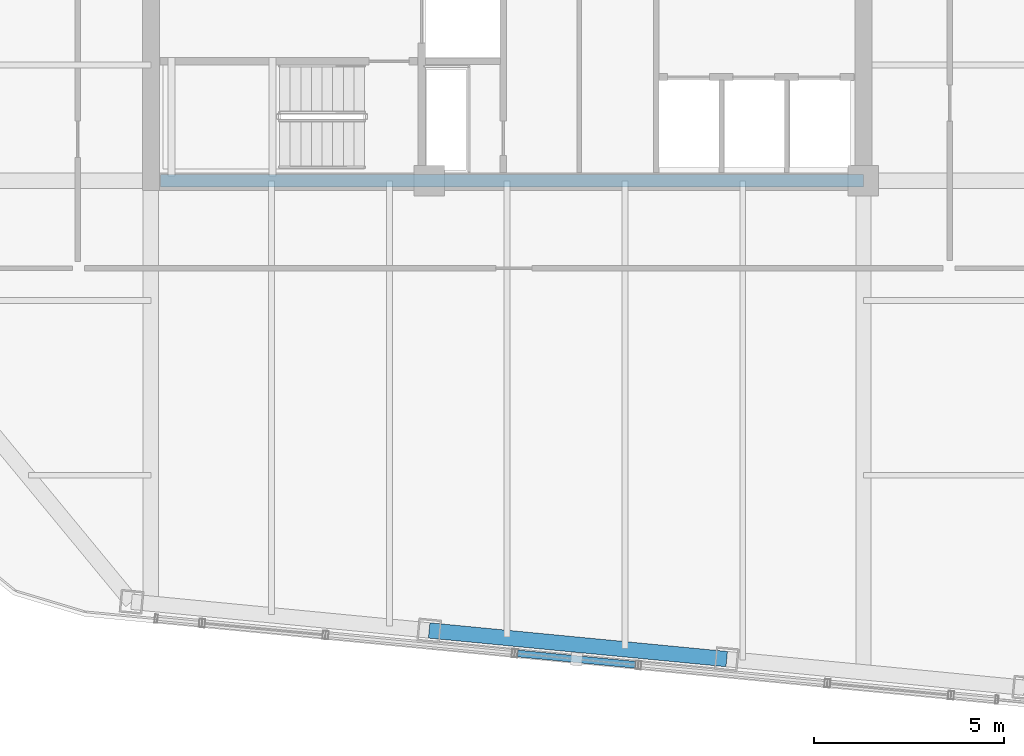
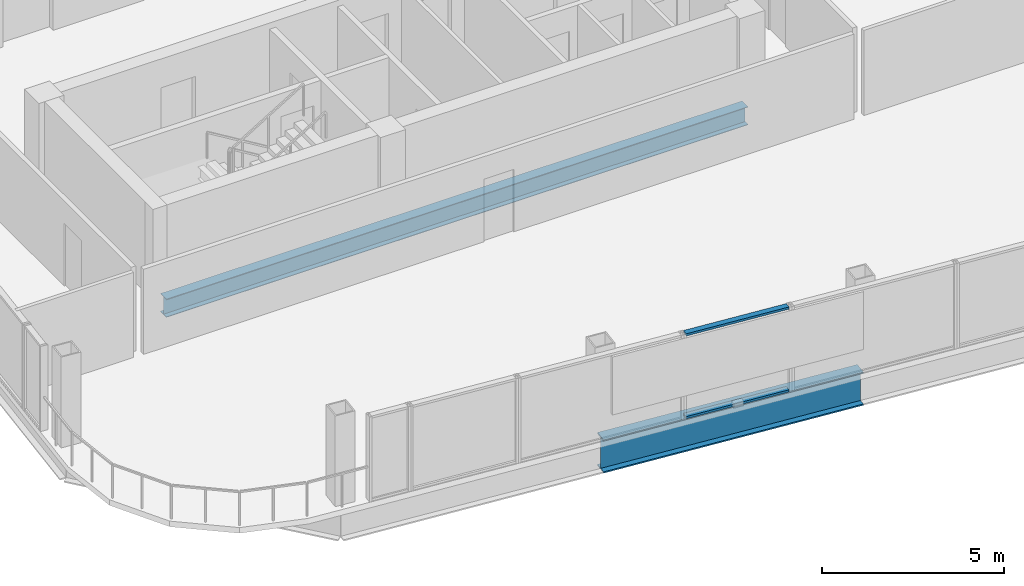
# One storey, part 4 of 22: 2 beams, 2 members, 1 element without a shape of its own.
"""IFC4 building model written with IfcOpenShell, lengths in metres."""

from ifc_helpers import new_model, si_unit, direction, frame, origin, origin_2d, place, context, subcontext, project, spatial, hollow_rectangle, i_section, extrude, material, layer, layer_set, material_profile, profile_set, type_object, element, aggregate, save


model = new_model("IFC4")

# Units and contexts
model_context = context("Model", 3, precision=1e-05, world=origin(), true_north=direction((0.0, 1.0)))
body_context = subcontext(model_context, "Body", "Model", "MODEL_VIEW")
ifc_project = project(units=[si_unit("LENGTHUNIT", "METRE"), si_unit("AREAUNIT", "SQUARE_METRE"), si_unit("VOLUMEUNIT", "CUBIC_METRE"), si_unit("PLANEANGLEUNIT", "RADIAN"), si_unit("MASSUNIT", "GRAM", prefix="KILO")], contexts=[model_context])

# Site, building, storey
site_placement = place(None, origin())
site = spatial("IfcSite", under=ifc_project, at=site_placement, CompositionType="ELEMENT")
building_placement = place(site_placement, origin())
building = spatial("IfcBuilding", under=site, at=building_placement, Name="Qhalaya Broadcast Tower", CompositionType="ELEMENT")
storey_placement = place(building_placement, frame((0.0, 0.0, 245.89990234375)))
storey = spatial("IfcBuildingStorey", under=building, at=storey_placement, Name="L72", CompositionType="ELEMENT", Elevation=245.89990234375)

# Beams
ifc_material_1 = material(Name="Structural Steel ASTM A992 Grade 50", Category="steel")
ifc_material_profile_1 = material_profile(ifc_material_1, i_section(OverallWidth=0.323974609375, OverallDepth=0.612060546875, WebThickness=0.0126953125, FlangeThickness=0.01904296875, at=origin_2d()), Name="W24X104")
ifc_profile_set_1 = profile_set([ifc_material_profile_1], Name="Structural Steel ASTM A992 Grade 50")
beam_type_1 = type_object("IfcBeamType", Name="Core Frame Tie Beam B04", PredefinedType="BEAM", material=ifc_profile_set_1)
beam_1_placement = place(storey_placement, frame((-9.1201171875, -8.75, -0.495849609375), z_axis=(1.0, 0.0, 0.0), x_axis=(0.0, 1.0, 0.0)))
element("IfcBeam", 1, at=beam_1_placement, inside=storey, type_object=beam_type_1, Name="L72 B04 L72-CCS3", PredefinedType="BEAM", context=body_context, shape_type="SweptSolid", body=[
    extrude(i_section(OverallWidth=0.323974609375, OverallDepth=0.612060546875, WebThickness=0.0126953125, FlangeThickness=0.01904296875, at=origin_2d()), origin(), (0.0, 0.0, 1.0), 18.4951171875),
])
ifc_material_profile_2 = material_profile(ifc_material_1, i_section(OverallWidth=0.404052734375, OverallDepth=1.117919921875, WebThickness=0.026123046875, FlangeThickness=0.044921875, at=origin_2d()), Name="W44X335")
ifc_profile_set_2 = profile_set([ifc_material_profile_2], Name="Structural Steel ASTM A992 Grade 50")
beam_type_2 = type_object("IfcBeamType", Name="Podium Long-Span Primary Girder PG1", PredefinedType="USERDEFINED", material=ifc_profile_set_2)
beam_2_placement = place(storey_placement, frame((-2.052490234375, -20.58251953125, -0.7490234375), z_axis=(0.995397023367, -0.095837184179, 0.0), x_axis=(0.095837184179, 0.995397023367, 0.0)))
element("IfcBeam", 2, at=beam_2_placement, inside=storey, type_object=beam_type_2, Name="L72 PG1 L72-SPR-02", ObjectType="GIRDER", PredefinedType="USERDEFINED", context=body_context, shape_type="SweptSolid", body=[
    extrude(i_section(OverallWidth=0.404052734375, OverallDepth=1.117919921875, WebThickness=0.026123046875, FlangeThickness=0.044921875, at=origin_2d()), origin(), (0.0, 0.0, 1.0), 7.866455078125),
])

# Curtain wall, members
ifc_material_2 = material(Name="Solar-Control Low-E Triple Glazing", Category="glass")
ifc_layer = layer(ifc_material_2, 0.219970703125, Name="Solar-Control Low-E Triple Glazing")
ifc_layer_set = layer_set([ifc_layer], Name="Solar-Control Low-E Triple Glazing")
curtain_wall_type = type_object("IfcCurtainWallType", Name="High-Altitude Upper-Shaft Triple Low-E Curtain Wall CW-04", PredefinedType="NOTDEFINED", material=ifc_layer_set)
curtain_wall_placement = place(storey_placement, origin())
curtain_wall = element("IfcCurtainWall", 3, at=curtain_wall_placement, inside=storey, type_object=curtain_wall_type, Name="L72 Unitised Curtain Wall L72-CW-S4", PredefinedType="NOTDEFINED")
ifc_material_3 = material(Name="Anodised Aluminium 6063-T6", Category="aluminium")
ifc_material_profile_3 = material_profile(ifc_material_3, hollow_rectangle(XDim=0.074951171875, YDim=0.179931640625, WallThickness=0.00390625, at=origin_2d()), Name="ALU-TRN 75x180x4")
ifc_profile_set_3 = profile_set([ifc_material_profile_3], Name="Anodised Aluminium 6063-T6")
member_type = type_object("IfcMemberType", Name="Unitised Curtain-Wall Transom T01", PredefinedType="USERDEFINED", material=ifc_profile_set_3)
member_1_placement = place(storey_placement, frame((0.275390625, -21.1884765625, 0.03759765625), z_axis=(0.995398112341, -0.095825873063, 0.0), x_axis=(0.0, 0.0, 1.0)))
member_1 = element("IfcMember", 4, at=member_1_placement, type_object=member_type, Name="CW-04 transom 1.1", ObjectType="TRANSOM", PredefinedType="USERDEFINED", context=body_context, shape_type="SweptSolid", body=[
    extrude(hollow_rectangle(XDim=0.074951171875, YDim=0.179931640625, WallThickness=0.00390625, at=origin_2d()), origin(), (0.0, 0.0, 1.0), 3.115966796875),
])
member_2_placement = place(storey_placement, frame((0.275390625, -21.1884765625, 2.822509765625), z_axis=(0.995398112341, -0.095825873063, 0.0), x_axis=(0.0, 0.0, 1.0)))
member_2 = element("IfcMember", 5, at=member_2_placement, type_object=member_type, Name="CW-04 transom 1.2", ObjectType="TRANSOM", PredefinedType="USERDEFINED", context=body_context, shape_type="SweptSolid", body=[
    extrude(hollow_rectangle(XDim=0.074951171875, YDim=0.179931640625, WallThickness=0.00390625, at=origin_2d()), origin(), (0.0, 0.0, 1.0), 3.115966796875),
])
aggregate(curtain_wall, [member_1, member_2])

save(model, "model.ifc")
